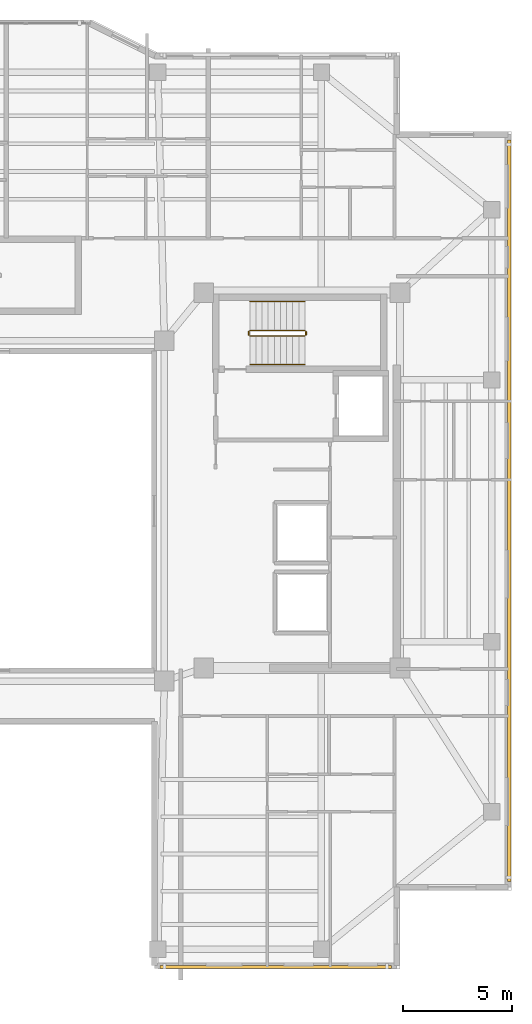
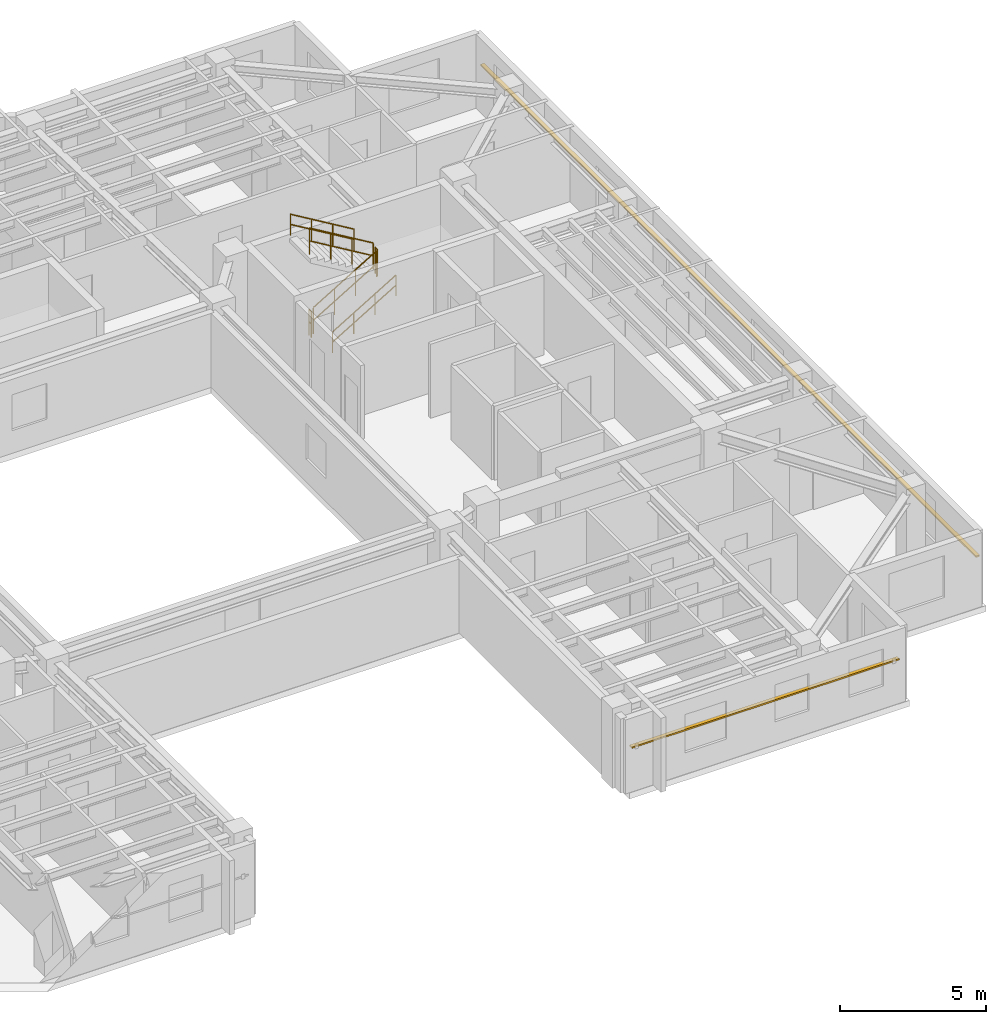
# One storey, part 11 of 12: 6 railings, 2 shading devices.
"""IFC4 building model written with IfcOpenShell, lengths in metres."""

from ifc_helpers import new_model, si_unit, direction, frame, origin, origin_2d, place, context, subcontext, project, spatial, rectangle, circle, extrude, material, material_profile, profile_set, type_object, element, save


model = new_model("IFC4")

# Units and contexts
model_context = context("Model", 3, precision=1e-05, world=origin(), true_north=direction((0.0, 1.0)))
body_context = subcontext(model_context, "Body", "Model", "MODEL_VIEW")
ifc_project = project(units=[si_unit("LENGTHUNIT", "METRE"), si_unit("AREAUNIT", "SQUARE_METRE"), si_unit("VOLUMEUNIT", "CUBIC_METRE"), si_unit("PLANEANGLEUNIT", "RADIAN"), si_unit("MASSUNIT", "GRAM", prefix="KILO")], contexts=[model_context])

# Site, building, storey
site_placement = place(None, origin())
site = spatial("IfcSite", under=ifc_project, at=site_placement, CompositionType="ELEMENT")
building_placement = place(site_placement, origin())
building = spatial("IfcBuilding", under=site, at=building_placement, Name="Tarnavaz Court Tower", CompositionType="ELEMENT")
storey_placement = place(building_placement, frame((0.0, 0.0, 220.39990234375)))
storey = spatial("IfcBuildingStorey", under=building, at=storey_placement, Name="L60", CompositionType="ELEMENT", Elevation=220.39990234375)

# Railings
ifc_material_1 = material(Name="Brushed Stainless Steel", Category="steel")
railing_type_1 = type_object("IfcRailingType", Name="RL-HANDRAIL-900", PredefinedType="HANDRAIL", material=ifc_material_1)
railing_1_placement = place(storey_placement, frame((11.719970703125, 6.699951171875, 0.16748046875)))
element("IfcRailing", 1, at=railing_1_placement, inside=storey, type_object=railing_type_1, Name="L60 ST-E1 stair handrail 1", PredefinedType="HANDRAIL", context=body_context, shape_type="SweptSolid", body=[
    extrude(circle(Radius=0.02392578125, at=origin_2d()), frame((0.0, 0.0, 0.8759765625), z_axis=(0.858159760407, 0.0, 0.513382728203), x_axis=(0.0, 1.0, 0.0)), (0.0, 0.0, 1.0), 2.9365234375),
    extrude(circle(Radius=0.02392578125, at=origin_2d()), frame((0.0, 0.0, 0.449951171875), z_axis=(0.858159760407, 0.0, 0.513382728203), x_axis=(0.0, 1.0, 0.0)), (0.0, 0.0, 1.0), 2.9365234375),
    extrude(circle(Radius=0.02099609375, at=origin_2d()), origin(), (0.0, 0.0, 1.0), 0.851806640625),
    extrude(circle(Radius=0.02099609375, at=origin_2d()), frame((0.840087890625, 0.0, 0.50244140625)), (0.0, 0.0, 1.0), 0.851806640625),
    extrude(circle(Radius=0.02099609375, at=origin_2d()), frame((1.679931640625, 0.0, 1.005126953125)), (0.0, 0.0, 1.0), 0.851806640625),
    extrude(circle(Radius=0.02099609375, at=origin_2d()), frame((2.52001953125, 0.0, 1.507568359375)), (0.0, 0.0, 1.0), 0.851806640625),
])
railing_2_placement = place(storey_placement, frame((14.239990234375, 9.590087890625, 1.842529296875)))
element("IfcRailing", 2, at=railing_2_placement, inside=storey, type_object=railing_type_1, Name="L60 ST-E1 stair handrail 2", PredefinedType="HANDRAIL", context=body_context, shape_type="SweptSolid", body=[
    extrude(circle(Radius=0.02392578125, at=origin_2d()), frame((0.0, 0.0, 0.8759765625), z_axis=(-0.858159760407, 0.0, 0.513382728203), x_axis=(0.0, -1.0, 0.0)), (0.0, 0.0, 1.0), 2.9365234375),
    extrude(circle(Radius=0.02392578125, at=origin_2d()), frame((0.0, 0.0, 0.449951171875), z_axis=(-0.858159760407, 0.0, 0.513382728203), x_axis=(0.0, -1.0, 0.0)), (0.0, 0.0, 1.0), 2.9365234375),
    extrude(circle(Radius=0.02099609375, at=origin_2d()), origin(), (0.0, 0.0, 1.0), 0.851806640625),
    extrude(circle(Radius=0.02099609375, at=origin_2d()), frame((-0.840087890625, 0.0, 0.50244140625)), (0.0, 0.0, 1.0), 0.851806640625),
    extrude(circle(Radius=0.02099609375, at=origin_2d()), frame((-1.679931640625, 0.0, 1.005126953125)), (0.0, 0.0, 1.0), 0.851806640625),
    extrude(circle(Radius=0.02099609375, at=origin_2d()), frame((-2.52001953125, 0.0, 1.507568359375)), (0.0, 0.0, 1.0), 0.851806640625),
])
ifc_material_2 = material(Name="Galvanized Painted Tubular Steel", Category="steel")
railing_type_2 = type_object("IfcRailingType", Name="RL-STGUARD-1120", PredefinedType="GUARDRAIL", material=ifc_material_2)
railing_3_placement = place(storey_placement, frame((11.719970703125, 8.02001953125, 0.16748046875)))
element("IfcRailing", 3, at=railing_3_placement, inside=storey, type_object=railing_type_2, Name="L60 ST-E1 stair guard 1", PredefinedType="GUARDRAIL", context=body_context, shape_type="SweptSolid", body=[
    extrude(circle(Radius=0.02392578125, at=origin_2d()), frame((0.0, 0.0, 1.09619140625), z_axis=(0.858159760407, 0.0, 0.513382728203), x_axis=(0.0, 1.0, 0.0)), (0.0, 0.0, 1.0), 2.9365234375),
    extrude(circle(Radius=0.02392578125, at=origin_2d()), frame((0.0, 0.0, 0.56005859375), z_axis=(0.858159760407, 0.0, 0.513382728203), x_axis=(0.0, 1.0, 0.0)), (0.0, 0.0, 1.0), 2.9365234375),
    extrude(circle(Radius=0.02099609375, at=origin_2d()), origin(), (0.0, 0.0, 1.0), 1.072021484375),
    extrude(circle(Radius=0.02099609375, at=origin_2d()), frame((0.840087890625, 0.0, 0.50244140625)), (0.0, 0.0, 1.0), 1.072021484375),
    extrude(circle(Radius=0.02099609375, at=origin_2d()), frame((1.679931640625, 0.0, 1.005126953125)), (0.0, 0.0, 1.0), 1.072021484375),
    extrude(circle(Radius=0.02099609375, at=origin_2d()), frame((2.52001953125, 0.0, 1.507568359375)), (0.0, 0.0, 1.0), 1.072021484375),
])
railing_4_placement = place(storey_placement, frame((14.2900390625, 8.070068359375, 1.675048828125)))
element("IfcRailing", 4, at=railing_4_placement, inside=storey, type_object=railing_type_2, Name="L60 ST-E1 stair guard 2", PredefinedType="GUARDRAIL", context=body_context, shape_type="SweptSolid", body=[
    extrude(circle(Radius=0.02392578125, at=origin_2d()), frame((0.0, 0.0, 1.09619140625), z_axis=(0.0, 1.0, 0.0), x_axis=(-1.0, 0.0, 0.0)), (0.0, 0.0, 1.0), 0.14990234375),
    extrude(circle(Radius=0.02392578125, at=origin_2d()), frame((0.0, 0.0, 0.56005859375), z_axis=(0.0, 1.0, 0.0), x_axis=(-1.0, 0.0, 0.0)), (0.0, 0.0, 1.0), 0.14990234375),
    extrude(circle(Radius=0.02099609375, at=origin_2d()), origin(), (0.0, 0.0, 1.0), 1.072021484375),
    extrude(circle(Radius=0.02099609375, at=origin_2d()), frame((0.0, 0.14990234375, 0.0)), (0.0, 0.0, 1.0), 1.072021484375),
])
railing_5_placement = place(storey_placement, frame((14.239990234375, 8.27001953125, 1.842529296875)))
element("IfcRailing", 5, at=railing_5_placement, inside=storey, type_object=railing_type_2, Name="L60 ST-E1 stair guard 3", PredefinedType="GUARDRAIL", context=body_context, shape_type="SweptSolid", body=[
    extrude(circle(Radius=0.02392578125, at=origin_2d()), frame((0.0, 0.0, 1.09619140625), z_axis=(-0.858159760407, 0.0, 0.513382728203), x_axis=(0.0, -1.0, 0.0)), (0.0, 0.0, 1.0), 2.9365234375),
    extrude(circle(Radius=0.02392578125, at=origin_2d()), frame((0.0, 0.0, 0.56005859375), z_axis=(-0.858159760407, 0.0, 0.513382728203), x_axis=(0.0, -1.0, 0.0)), (0.0, 0.0, 1.0), 2.9365234375),
    extrude(circle(Radius=0.02099609375, at=origin_2d()), origin(), (0.0, 0.0, 1.0), 1.072021484375),
    extrude(circle(Radius=0.02099609375, at=origin_2d()), frame((-0.840087890625, 0.0, 0.50244140625)), (0.0, 0.0, 1.0), 1.072021484375),
    extrude(circle(Radius=0.02099609375, at=origin_2d()), frame((-1.679931640625, 0.0, 1.005126953125)), (0.0, 0.0, 1.0), 1.072021484375),
    extrude(circle(Radius=0.02099609375, at=origin_2d()), frame((-2.52001953125, 0.0, 1.507568359375)), (0.0, 0.0, 1.0), 1.072021484375),
])
railing_6_placement = place(storey_placement, frame((11.669921875, 8.070068359375, 0.0)))
element("IfcRailing", 6, at=railing_6_placement, inside=storey, type_object=railing_type_2, Name="L60 ST-E1 stair guard 4", PredefinedType="GUARDRAIL", context=body_context, shape_type="SweptSolid", body=[
    extrude(circle(Radius=0.02392578125, at=origin_2d()), frame((0.0, 0.0, 1.09619140625), z_axis=(0.0, 1.0, 0.0), x_axis=(-1.0, 0.0, 0.0)), (0.0, 0.0, 1.0), 0.14990234375),
    extrude(circle(Radius=0.02392578125, at=origin_2d()), frame((0.0, 0.0, 0.56005859375), z_axis=(0.0, 1.0, 0.0), x_axis=(-1.0, 0.0, 0.0)), (0.0, 0.0, 1.0), 0.14990234375),
    extrude(circle(Radius=0.02099609375, at=origin_2d()), origin(), (0.0, 0.0, 1.0), 1.072021484375),
    extrude(circle(Radius=0.02099609375, at=origin_2d()), frame((0.0, 0.14990234375, 0.0)), (0.0, 0.0, 1.0), 1.072021484375),
])

# Shading devices
ifc_material_3 = material(Name="Kiln-Fired Khorasan Terracotta Ceramic", Category="masonry")
ifc_material_profile = material_profile(ifc_material_3, rectangle(XDim=0.14990234375, YDim=0.06494140625, at=origin_2d()), Name="TC BAGUETTE 150X65")
ifc_profile_set = profile_set([ifc_material_profile], Name="Kiln-Fired Khorasan Terracotta Ceramic")
shading_device_type = type_object("IfcShadingDeviceType", Name="SD-BAG-150", PredefinedType="USERDEFINED", material=ifc_profile_set)
shading_device_1_placement = place(storey_placement, frame((23.610107421875, 17.0, 1.85009765625), z_axis=(0.0, -1.0, 0.0), x_axis=(1.0, 0.0, 0.0)))
element("IfcShadingDevice", 7, at=shading_device_1_placement, inside=storey, type_object=shading_device_type, Name="L60 Terracotta Baguette Screen FBG12", ObjectType="BAGUETTE", PredefinedType="USERDEFINED", context=body_context, shape_type="SweptSolid", body=[
    extrude(rectangle(XDim=0.14990234375, YDim=0.06494140625, at=origin_2d()), origin(), (0.0, 0.0, 1.0), 34.0),
])
shading_device_2_placement = place(storey_placement, frame((18.199951171875, -20.909912109375, 1.85009765625), z_axis=(-1.0, 0.0, 0.0), x_axis=(0.0, -1.0, 0.0)))
element("IfcShadingDevice", 8, at=shading_device_2_placement, inside=storey, type_object=shading_device_type, Name="L60 Terracotta Baguette Screen FBG15", ObjectType="BAGUETTE", PredefinedType="USERDEFINED", context=body_context, shape_type="SweptSolid", body=[
    extrude(rectangle(XDim=0.14990234375, YDim=0.06494140625, at=origin_2d()), origin(), (0.0, 0.0, 1.0), 10.599853515625),
])

save(model, "model.ifc")
